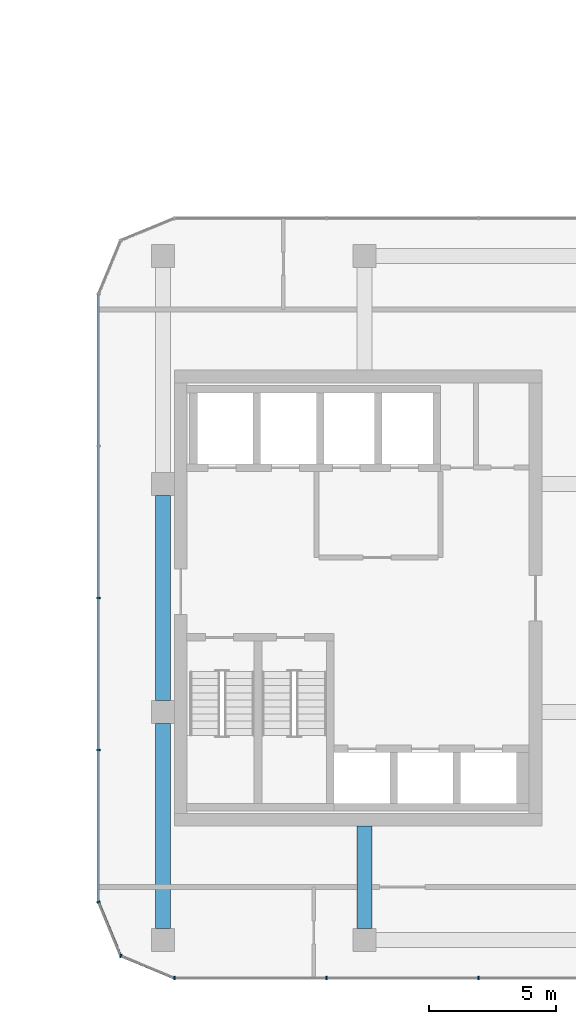
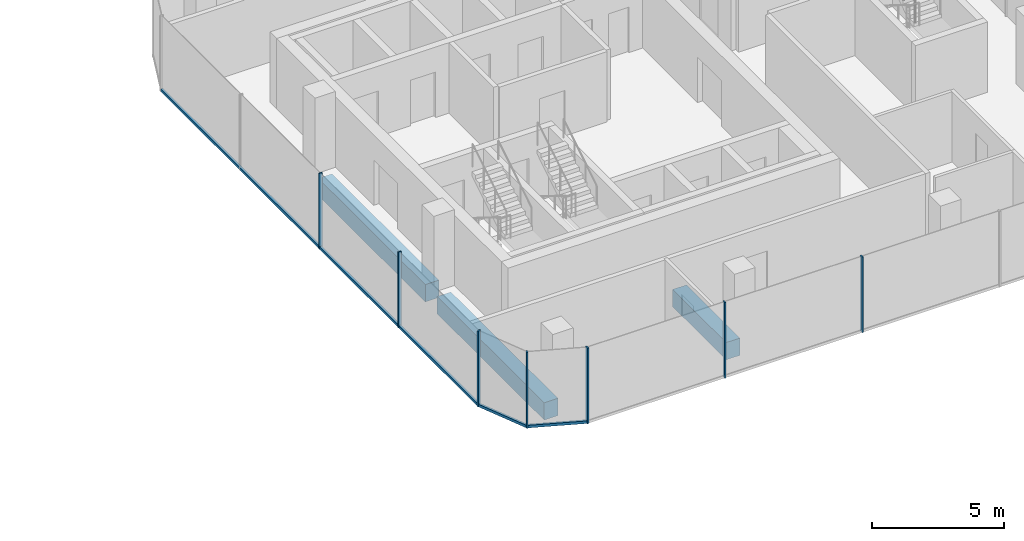
# One storey, part 8 of 24: 10 members, 3 beams, 4 elements without a shape of their own.
"""IFC4 building model written with IfcOpenShell, lengths in metres."""

from ifc_helpers import new_model, si_unit, direction, frame, origin, origin_2d, place, context, subcontext, project, spatial, rectangle, extrude, material, layer, layer_set, material_profile, profile_set, type_object, element, aggregate, save


model = new_model("IFC4")

# Units and contexts
model_context = context("Model", 3, precision=1e-05, world=origin(), true_north=direction((0.0, 1.0)))
body_context = subcontext(model_context, "Body", "Model", "MODEL_VIEW")
ifc_project = project(units=[si_unit("LENGTHUNIT", "METRE"), si_unit("AREAUNIT", "SQUARE_METRE"), si_unit("VOLUMEUNIT", "CUBIC_METRE"), si_unit("PLANEANGLEUNIT", "RADIAN"), si_unit("MASSUNIT", "GRAM", prefix="KILO")], contexts=[model_context])

# Site, building, storey
site_placement = place(None, origin())
site = spatial("IfcSite", under=ifc_project, at=site_placement, CompositionType="ELEMENT")
building_placement = place(site_placement, origin())
building = spatial("IfcBuilding", under=site, at=building_placement, Name="Plateau Cross Towers", CompositionType="ELEMENT")
storey_placement = place(building_placement, frame((0.0, 0.0, 44.300048828125)))
storey = spatial("IfcBuildingStorey", under=building, at=storey_placement, Name="L10", CompositionType="ELEMENT", Elevation=44.300048828125)

# Beam
ifc_material_1 = material(Name="Concrete C60/75", Category="concrete")
ifc_material_profile_1 = material_profile(ifc_material_1, rectangle(XDim=0.60009765625, YDim=0.800048828125, at=origin_2d()), Name="RC 600x800")
ifc_profile_set_1 = profile_set([ifc_material_profile_1], Name="Concrete C60/75")
beam_type_1 = type_object("IfcBeamType", Name="Core beam RC 600x800", PredefinedType="BEAM", material=ifc_profile_set_1)
beam_placement = place(storey_placement, frame((82.5, 0.0, -0.650146484375), z_axis=(0.0, -1.0, 0.0), x_axis=(1.0, 0.0, 0.0)))
element("IfcBeam", 1, at=beam_placement, inside=storey, type_object=beam_type_1, Name="B-CB01@L10", PredefinedType="BEAM", context=body_context, shape_type="SweptSolid", body=[
    extrude(rectangle(XDim=0.60009765625, YDim=0.800048828125, at=origin_2d()), origin(), (0.0, 0.0, 1.0), 4.050048828125),
])

# Curtain wall, members
ifc_material_2 = material(Name="Dark low-iron glass", Category="glass")
ifc_layer = layer(ifc_material_2, 0.239990234375)
ifc_layer_set = layer_set([ifc_layer], Name="Dark low-iron glass")
curtain_wall_type = type_object("IfcCurtainWallType", Name="Curtain wall office unitised CW-F", PredefinedType="NOTDEFINED", material=ifc_layer_set)
curtain_wall_1_placement = place(storey_placement, origin())
curtain_wall_1 = element("IfcCurtainWall", 2, at=curtain_wall_1_placement, inside=storey, type_object=curtain_wall_type, Name="ENV/B/L10/B750_-60", PredefinedType="NOTDEFINED")
ifc_material_3 = material(Name="Black anodised aluminium", Category="aluminium")
ifc_material_profile_2 = material_profile(ifc_material_3, rectangle(XDim=0.06005859375, YDim=0.139892578125, at=origin_2d()), Name="MULLION 60x140")
ifc_profile_set_2 = profile_set([ifc_material_profile_2], Name="Black anodised aluminium")
member_type_1 = type_object("IfcMemberType", Name="Mullion 60x140 office unitised", PredefinedType="MULLION", material=ifc_profile_set_2)
member_1_placement = place(storey_placement, frame((75.0, -6.0, -0.25), z_axis=(0.0, 0.0, 1.0), x_axis=(1.0, 0.0, 0.0)))
member_1 = element("IfcMember", 3, at=member_1_placement, type_object=member_type_1, Name="CW-F mullion 1", PredefinedType="MULLION", context=body_context, shape_type="SweptSolid", body=[
    extrude(rectangle(XDim=0.06005859375, YDim=0.139892578125, at=origin_2d()), origin(), (0.0, 0.0, 1.0), 3.5),
])
member_2_placement = place(storey_placement, frame((81.0, -6.0, -0.25), z_axis=(0.0, 0.0, 1.0), x_axis=(1.0, 0.0, 0.0)))
member_2 = element("IfcMember", 4, at=member_2_placement, type_object=member_type_1, Name="CW-F mullion 2", PredefinedType="MULLION", context=body_context, shape_type="SweptSolid", body=[
    extrude(rectangle(XDim=0.06005859375, YDim=0.139892578125, at=origin_2d()), origin(), (0.0, 0.0, 1.0), 3.5),
])
member_3_placement = place(storey_placement, frame((87.0, -6.0, -0.25), z_axis=(0.0, 0.0, 1.0), x_axis=(1.0, 0.0, 0.0)))
member_3 = element("IfcMember", 5, at=member_3_placement, type_object=member_type_1, Name="CW-F mullion 3", PredefinedType="MULLION", context=body_context, shape_type="SweptSolid", body=[
    extrude(rectangle(XDim=0.06005859375, YDim=0.139892578125, at=origin_2d()), origin(), (0.0, 0.0, 1.0), 3.5),
])
aggregate(curtain_wall_1, [member_1, member_2, member_3])

curtain_wall_2_placement = place(storey_placement, origin())
curtain_wall_2 = element("IfcCurtainWall", 6, at=curtain_wall_2_placement, inside=storey, type_object=curtain_wall_type, Name="ENV/B/L10/B720_210", PredefinedType="NOTDEFINED")
member_4_placement = place(storey_placement, frame((72.0, 9.0, -0.25), z_axis=(0.0, 0.0, 1.0), x_axis=(0.0, -1.0, 0.0)))
member_4 = element("IfcMember", 7, at=member_4_placement, type_object=member_type_1, Name="CW-F mullion 3", PredefinedType="MULLION", context=body_context, shape_type="SweptSolid", body=[
    extrude(rectangle(XDim=0.06005859375, YDim=0.139892578125, at=origin_2d()), origin(), (0.0, 0.0, 1.0), 3.5),
])
member_5_placement = place(storey_placement, frame((72.0, 3.0, -0.25), z_axis=(0.0, 0.0, 1.0), x_axis=(0.0, -1.0, 0.0)))
member_5 = element("IfcMember", 8, at=member_5_placement, type_object=member_type_1, Name="CW-F mullion 4", PredefinedType="MULLION", context=body_context, shape_type="SweptSolid", body=[
    extrude(rectangle(XDim=0.06005859375, YDim=0.139892578125, at=origin_2d()), origin(), (0.0, 0.0, 1.0), 3.5),
])

# Curtain wall, member
curtain_wall_3_placement = place(storey_placement, origin())
curtain_wall_3 = element("IfcCurtainWall", 9, at=curtain_wall_3_placement, inside=storey, type_object=curtain_wall_type, Name="ENV/B/L10/B720_-30", PredefinedType="NOTDEFINED")
member_6_placement = place(storey_placement, frame((72.0, -3.0, -0.25), z_axis=(0.0, 0.0, 1.0), x_axis=(0.382683612978, -0.923879457699, 0.0)))
member_6 = element("IfcMember", 10, at=member_6_placement, type_object=member_type_1, Name="CW-F mullion 1", PredefinedType="MULLION", context=body_context, shape_type="SweptSolid", body=[
    extrude(rectangle(XDim=0.06005859375, YDim=0.139892578125, at=origin_2d()), origin(), (0.0, 0.0, 1.0), 3.5),
])

curtain_wall_4_placement = place(storey_placement, origin())
curtain_wall_4 = element("IfcCurtainWall", 11, at=curtain_wall_4_placement, inside=storey, type_object=curtain_wall_type, Name="ENV/B/L10/B729_-51", PredefinedType="NOTDEFINED")
member_7_placement = place(storey_placement, frame((72.878662109375, -5.121337890625, -0.25), z_axis=(0.0, 0.0, 1.0), x_axis=(0.923879457699, -0.382683612978, 0.0)))
member_7 = element("IfcMember", 12, at=member_7_placement, type_object=member_type_1, Name="CW-F mullion 1", PredefinedType="MULLION", context=body_context, shape_type="SweptSolid", body=[
    extrude(rectangle(XDim=0.06005859375, YDim=0.139892578125, at=origin_2d()), origin(), (0.0, 0.0, 1.0), 3.5),
])

# Beams
ifc_material_profile_3 = material_profile(ifc_material_1, rectangle(XDim=0.60009765625, YDim=0.800048828125, at=origin_2d()), Name="RC 600x800")
ifc_profile_set_3 = profile_set([ifc_material_profile_3], Name="Concrete C60/75")
beam_type_2 = type_object("IfcBeamType", Name="Ring beam RC 600x800", PredefinedType="BEAM", material=ifc_profile_set_3)
for number, where, z_axis, x_axis, name in (
    (13, (74.550048828125, 13.050048828125, -0.650146484375), (0.0, -1.0, 0.0), (1.0, 0.0, 0.0), "B-RB09@L10"),
    (14, (74.550048828125, 4.050048828125, -0.650146484375), (0.0, -1.0, 0.0), (1.0, 0.0, 0.0), "B-RB10@L10"),
):
    element("IfcBeam", number, at=place(storey_placement, frame(where, z_axis=z_axis, x_axis=x_axis)), inside=storey, type_object=beam_type_2, Name=name, PredefinedType="BEAM", context=body_context, shape_type="SweptSolid", body=[
        extrude(rectangle(XDim=0.60009765625, YDim=0.800048828125, at=origin_2d()), origin(), (0.0, 0.0, 1.0), 8.10009765625),
    ])

# Member
ifc_material_profile_4 = material_profile(ifc_material_3, rectangle(XDim=0.10009765625, YDim=0.1201171875, at=origin_2d()), Name="TRANSOM 100x120")
ifc_profile_set_4 = profile_set([ifc_material_profile_4], Name="Black anodised aluminium")
member_type_2 = type_object("IfcMemberType", Name="Transom 100x120 office unitised", PredefinedType="USERDEFINED", material=ifc_profile_set_4)
member_8_placement = place(storey_placement, frame((72.0, 21.0, -0.18994140625), z_axis=(0.0, -1.0, 0.0), x_axis=(1.0, 0.0, 0.0)))
member_8 = element("IfcMember", 15, at=member_8_placement, type_object=member_type_2, Name="CW-F transom", ObjectType="TRANSOM", PredefinedType="USERDEFINED", context=body_context, shape_type="SweptSolid", body=[
    extrude(rectangle(XDim=0.10009765625, YDim=0.1201171875, at=origin_2d()), origin(), (0.0, 0.0, 1.0), 24.0),
])

aggregate(curtain_wall_2, [member_4, member_5, member_8])

member_9_placement = place(storey_placement, frame((72.0, -3.0, -0.18994140625), z_axis=(0.382674207535, -0.923883353507, 0.0), x_axis=(0.923883353507, 0.382674207535, 0.0)))
member_9 = element("IfcMember", 16, at=member_9_placement, type_object=member_type_2, Name="CW-F transom", ObjectType="TRANSOM", PredefinedType="USERDEFINED", context=body_context, shape_type="SweptSolid", body=[
    extrude(rectangle(XDim=0.10009765625, YDim=0.1201171875, at=origin_2d()), origin(), (0.0, 0.0, 1.0), 2.296142578125),
])

aggregate(curtain_wall_3, [member_6, member_9])

member_10_placement = place(storey_placement, frame((72.878662109375, -5.121337890625, -0.18994140625), z_axis=(0.923883353507, -0.382674207535, 0.0), x_axis=(0.382674207535, 0.923883353507, 0.0)))
member_10 = element("IfcMember", 17, at=member_10_placement, type_object=member_type_2, Name="CW-F transom", ObjectType="TRANSOM", PredefinedType="USERDEFINED", context=body_context, shape_type="SweptSolid", body=[
    extrude(rectangle(XDim=0.10009765625, YDim=0.1201171875, at=origin_2d()), origin(), (0.0, 0.0, 1.0), 2.296142578125),
])

aggregate(curtain_wall_4, [member_7, member_10])

save(model, "model.ifc")
